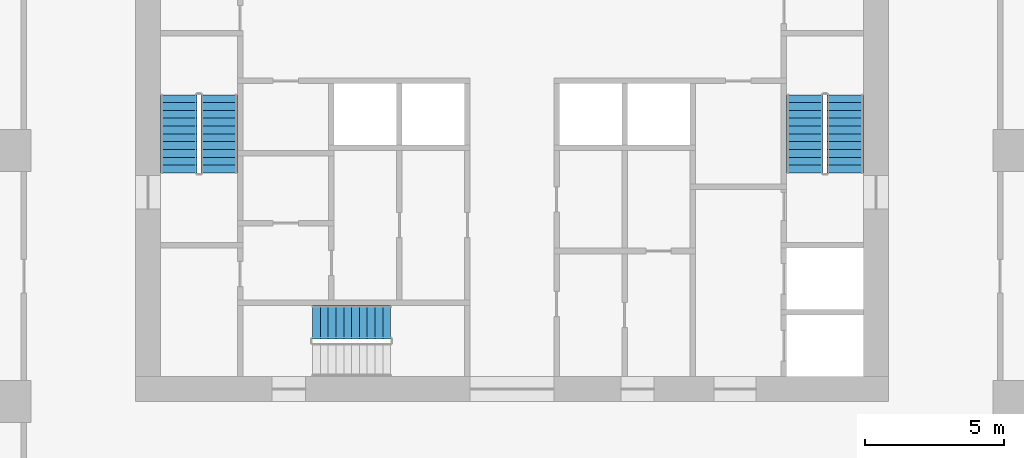
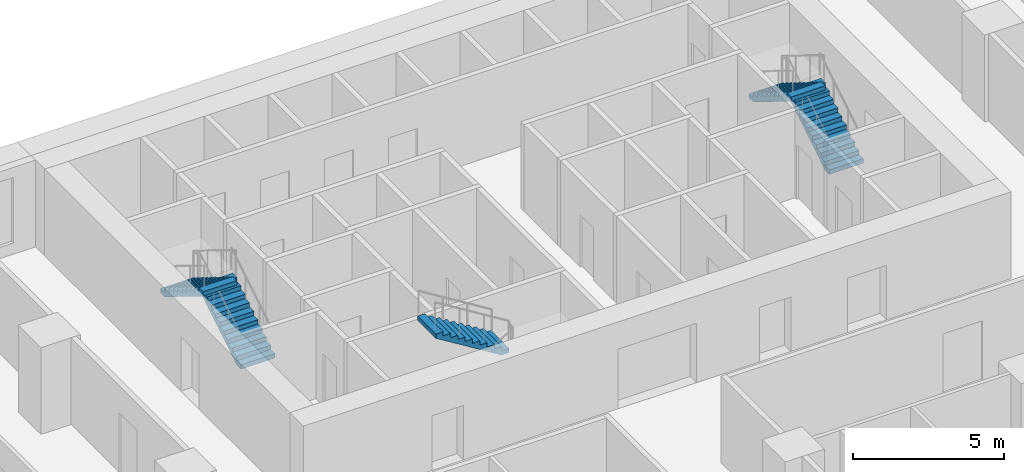
# One storey, part 7 of 14: 5 stair flights, 3 elements without a shape of their own.
"""IFC4 building model written with IfcOpenShell, lengths in metres."""

from ifc_helpers import new_model, si_unit, direction, frame, origin, place, context, subcontext, project, spatial, polyline, outline, extrude, material, type_object, element, aggregate, save


model = new_model("IFC4")

# Units and contexts
model_context = context("Model", 3, precision=1e-05, world=origin(), true_north=direction((0.0, 1.0)))
body_context = subcontext(model_context, "Body", "Model", "MODEL_VIEW")
ifc_project = project(units=[si_unit("LENGTHUNIT", "METRE"), si_unit("AREAUNIT", "SQUARE_METRE"), si_unit("VOLUMEUNIT", "CUBIC_METRE"), si_unit("PLANEANGLEUNIT", "RADIAN"), si_unit("MASSUNIT", "GRAM", prefix="KILO")], contexts=[model_context])

# Site, building, storey
site_placement = place(None, origin())
site = spatial("IfcSite", under=ifc_project, at=site_placement, CompositionType="ELEMENT")
building_placement = place(site_placement, origin())
building = spatial("IfcBuilding", under=site, at=building_placement, Name="Orbiselva Terraces", CompositionType="ELEMENT")
storey_placement = place(building_placement, frame((0.0, 0.0, 41.6)))
storey = spatial("IfcBuildingStorey", under=building, at=storey_placement, Name="L10", CompositionType="ELEMENT", Elevation=41.6)

# Stair, stair flight
ifc_material = material(Name="Concrete C40/50", Category="concrete")
stair_type_1 = type_object("IfcStairType", Name="CORE-STAIR-1200", PredefinedType="HALF_TURN_STAIR", material=ifc_material)
stair_1_placement = place(storey_placement, origin())
stair_1 = element("IfcStair", 1, at=stair_1_placement, inside=storey, type_object=stair_type_1, Name="L10 Exit Stair S3", PredefinedType="HALF_TURN_STAIR")
stair_flight_type_1 = type_object("IfcStairFlightType", Name="CORE-STAIR-FLIGHT-1200", PredefinedType="STRAIGHT", material=ifc_material)
stair_flight_1_placement = place(storey_placement, frame((-4.35, 7.35, 1.9), z_axis=(0.0, 0.0, 1.0), x_axis=(-1.0, 0.0, 0.0)))
stair_flight_1 = element("IfcStairFlight", 2, at=stair_flight_1_placement, type_object=stair_flight_type_1, Name="S3 flight 2", NumberOfRisers=11, NumberOfTreads=10, PredefinedType="STRAIGHT", RiserHeight=0.172727273, TreadLength=0.28, context=body_context, shape_type="SweptSolid", body=[
    extrude(outline(polyline([(0.0, 0.0), (0.0, 0.172727), (0.28, 0.172727), (0.28, 0.345455), (0.56, 0.345455), (0.56, 0.518182), (0.84, 0.518182), (0.84, 0.690909), (1.12, 0.690909), (1.12, 0.863636), (1.4, 0.863636), (1.4, 1.036364), (1.68, 1.036364), (1.68, 1.209091), (1.96, 1.209091), (1.96, 1.381818), (2.24, 1.381818), (2.24, 1.554545), (2.52, 1.554545), (2.52, 1.727273), (2.8, 1.727273), (2.8, 1.9), (2.8, 1.551028), (0.285702, 0.0), (0.0, 0.0)])), frame((0.0, 0.6, 0.0), z_axis=(0.0, -1.0, 0.0), x_axis=(1.0, 0.0, 0.0)), (0.0, 0.0, 1.0), 1.2),
])
aggregate(stair_1, [stair_flight_1])

# Stair, stair flights
stair_type_2 = type_object("IfcStairType", Name="CORE-STAIR-1300", PredefinedType="HALF_TURN_STAIR", material=ifc_material)
stair_2_placement = place(storey_placement, origin())
stair_2 = element("IfcStair", 3, at=stair_2_placement, inside=storey, type_object=stair_type_2, Name="L10 Exit Stair S1", PredefinedType="HALF_TURN_STAIR")
stair_flight_type_2 = type_object("IfcStairFlightType", Name="CORE-STAIR-FLIGHT-1300", PredefinedType="STRAIGHT", material=ifc_material)
stair_flight_2_placement = place(storey_placement, frame((-10.5, 12.7, 0.0), z_axis=(0.0, 0.0, 1.0), x_axis=(0.0, 1.0, 0.0)))
stair_flight_2 = element("IfcStairFlight", 4, at=stair_flight_2_placement, type_object=stair_flight_type_2, Name="S1 flight 1", NumberOfRisers=11, NumberOfTreads=10, PredefinedType="STRAIGHT", RiserHeight=0.172727273, TreadLength=0.28, context=body_context, shape_type="SweptSolid", body=[
    extrude(outline(polyline([(0.0, 0.0), (0.0, 0.172727), (0.28, 0.172727), (0.28, 0.345455), (0.56, 0.345455), (0.56, 0.518182), (0.84, 0.518182), (0.84, 0.690909), (1.12, 0.690909), (1.12, 0.863636), (1.4, 0.863636), (1.4, 1.036364), (1.68, 1.036364), (1.68, 1.209091), (1.96, 1.209091), (1.96, 1.381818), (2.24, 1.381818), (2.24, 1.554545), (2.52, 1.554545), (2.52, 1.727273), (2.8, 1.727273), (2.8, 1.9), (2.8, 1.551028), (0.285702, 0.0), (0.0, 0.0)])), frame((0.0, 0.65, 0.0), z_axis=(0.0, -1.0, 0.0), x_axis=(1.0, 0.0, 0.0)), (0.0, 0.0, 1.0), 1.3),
])
stair_flight_3_placement = place(storey_placement, frame((-11.95, 15.5, 1.9), z_axis=(0.0, 0.0, 1.0), x_axis=(0.0, -1.0, 0.0)))
stair_flight_3 = element("IfcStairFlight", 5, at=stair_flight_3_placement, type_object=stair_flight_type_2, Name="S1 flight 2", NumberOfRisers=11, NumberOfTreads=10, PredefinedType="STRAIGHT", RiserHeight=0.172727273, TreadLength=0.28, context=body_context, shape_type="SweptSolid", body=[
    extrude(outline(polyline([(0.0, 0.0), (0.0, 0.172727), (0.28, 0.172727), (0.28, 0.345455), (0.56, 0.345455), (0.56, 0.518182), (0.84, 0.518182), (0.84, 0.690909), (1.12, 0.690909), (1.12, 0.863636), (1.4, 0.863636), (1.4, 1.036364), (1.68, 1.036364), (1.68, 1.209091), (1.96, 1.209091), (1.96, 1.381818), (2.24, 1.381818), (2.24, 1.554545), (2.52, 1.554545), (2.52, 1.727273), (2.8, 1.727273), (2.8, 1.9), (2.8, 1.551028), (0.285702, 0.0), (0.0, 0.0)])), frame((0.0, 0.65, 0.0), z_axis=(0.0, -1.0, 0.0), x_axis=(1.0, 0.0, 0.0)), (0.0, 0.0, 1.0), 1.3),
])
aggregate(stair_2, [stair_flight_2, stair_flight_3])

stair_3_placement = place(storey_placement, origin())
stair_3 = element("IfcStair", 6, at=stair_3_placement, inside=storey, type_object=stair_type_2, Name="L10 Exit Stair S2", PredefinedType="HALF_TURN_STAIR")
stair_flight_4_placement = place(storey_placement, frame((11.95, 12.7, 0.0), z_axis=(0.0, 0.0, 1.0), x_axis=(0.0, 1.0, 0.0)))
stair_flight_4 = element("IfcStairFlight", 7, at=stair_flight_4_placement, type_object=stair_flight_type_2, Name="S2 flight 1", NumberOfRisers=11, NumberOfTreads=10, PredefinedType="STRAIGHT", RiserHeight=0.172727273, TreadLength=0.28, context=body_context, shape_type="SweptSolid", body=[
    extrude(outline(polyline([(0.0, 0.0), (0.0, 0.172727), (0.28, 0.172727), (0.28, 0.345455), (0.56, 0.345455), (0.56, 0.518182), (0.84, 0.518182), (0.84, 0.690909), (1.12, 0.690909), (1.12, 0.863636), (1.4, 0.863636), (1.4, 1.036364), (1.68, 1.036364), (1.68, 1.209091), (1.96, 1.209091), (1.96, 1.381818), (2.24, 1.381818), (2.24, 1.554545), (2.52, 1.554545), (2.52, 1.727273), (2.8, 1.727273), (2.8, 1.9), (2.8, 1.551028), (0.285702, 0.0), (0.0, 0.0)])), frame((0.0, 0.65, 0.0), z_axis=(0.0, -1.0, 0.0), x_axis=(1.0, 0.0, 0.0)), (0.0, 0.0, 1.0), 1.3),
])
stair_flight_5_placement = place(storey_placement, frame((10.5, 15.5, 1.9), z_axis=(0.0, 0.0, 1.0), x_axis=(0.0, -1.0, 0.0)))
stair_flight_5 = element("IfcStairFlight", 8, at=stair_flight_5_placement, type_object=stair_flight_type_2, Name="S2 flight 2", NumberOfRisers=11, NumberOfTreads=10, PredefinedType="STRAIGHT", RiserHeight=0.172727273, TreadLength=0.28, context=body_context, shape_type="SweptSolid", body=[
    extrude(outline(polyline([(0.0, 0.0), (0.0, 0.172727), (0.28, 0.172727), (0.28, 0.345455), (0.56, 0.345455), (0.56, 0.518182), (0.84, 0.518182), (0.84, 0.690909), (1.12, 0.690909), (1.12, 0.863636), (1.4, 0.863636), (1.4, 1.036364), (1.68, 1.036364), (1.68, 1.209091), (1.96, 1.209091), (1.96, 1.381818), (2.24, 1.381818), (2.24, 1.554545), (2.52, 1.554545), (2.52, 1.727273), (2.8, 1.727273), (2.8, 1.9), (2.8, 1.551028), (0.285702, 0.0), (0.0, 0.0)])), frame((0.0, 0.65, 0.0), z_axis=(0.0, -1.0, 0.0), x_axis=(1.0, 0.0, 0.0)), (0.0, 0.0, 1.0), 1.3),
])
aggregate(stair_3, [stair_flight_4, stair_flight_5])

save(model, "model.ifc")
